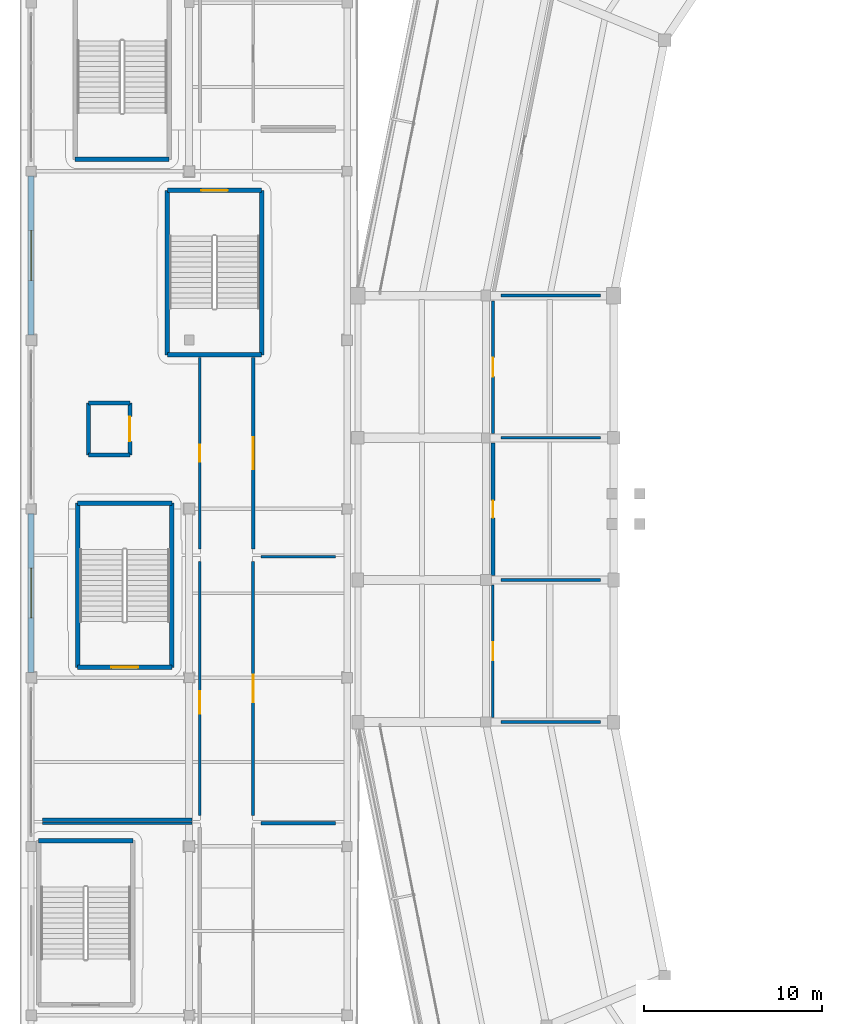
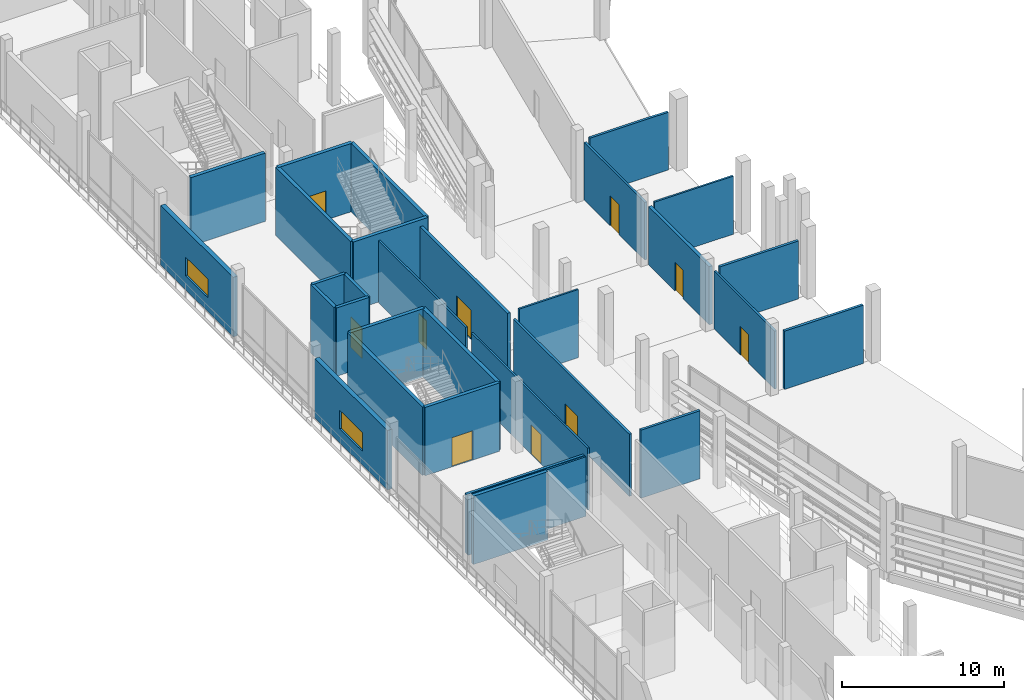
# One storey, part 73 of 111: 31 walls, 10 doors, 2 windows, 12 openings.
"""IFC4 building model written with IfcOpenShell, lengths in metres."""

from ifc_helpers import new_model, si_unit, direction, frame, frame_2d, origin, place, context, subcontext, project, spatial, rectangle, extrude, material, layer, layer_set, type_object, element, fill, save


model = new_model("IFC4")

# Units and contexts
model_context = context("Model", 3, precision=1e-05, world=origin(), true_north=direction((0.0, 1.0)))
body_context = subcontext(model_context, "Body", "Model", "MODEL_VIEW")
ifc_project = project(units=[si_unit("LENGTHUNIT", "METRE"), si_unit("AREAUNIT", "SQUARE_METRE"), si_unit("VOLUMEUNIT", "CUBIC_METRE"), si_unit("PLANEANGLEUNIT", "RADIAN"), si_unit("MASSUNIT", "GRAM", prefix="KILO")], contexts=[model_context])

# Site, building, storey
site_placement = place(None, origin())
site = spatial("IfcSite", under=ifc_project, at=site_placement, CompositionType="ELEMENT")
building_placement = place(site_placement, origin())
building = spatial("IfcBuilding", under=site, at=building_placement, Name="Candeia Ridge Stadium", CompositionType="ELEMENT")
storey_placement = place(building_placement, frame((0.0, 0.0, 16.199951171875)))
storey = spatial("IfcBuildingStorey", under=building, at=storey_placement, Name="L03", CompositionType="ELEMENT", Elevation=16.199951171875)

# Wall, opening, door
ifc_material_1 = material(Name="Gypsum Metal-Stud Partition", Category="gypsum")
ifc_layer_1 = layer(ifc_material_1, 0.14501953125, Name="Gypsum Metal-Stud Partition", Category="gypsum")
ifc_layer_set_1 = layer_set([ifc_layer_1], Name="Gypsum Metal-Stud Partition")
wall_type_1 = type_object("IfcWallType", Name="Athlete Recovery Partition 145", PredefinedType="PARTITIONING", material=ifc_layer_set_1)
wall_1_placement = place(storey_placement, frame((26.60009765625, 71.25, 0.0), z_axis=(0.0, 0.0, 1.0), x_axis=(0.0, 1.0, 0.0)))
wall_1 = element("IfcWall", 1, at=wall_1_placement, inside=storey, type_object=wall_type_1, Name="Interior partition PT-L03-0585", PredefinedType="PARTITIONING", context=body_context, shape_type="SweptSolid", body=[
    extrude(rectangle(XDim=7.4599609375, YDim=0.14501953125, at=frame_2d((3.72998046875, 0.0))), origin(), (0.0, 0.0, 1.0), 4.364990234375),
])
opening_1_placement = place(wall_1_placement, frame((3.219970703125, 0.0, 0.0)))
opening_1 = element("IfcOpeningElement", 2, at=opening_1_placement, cuts=wall_1, Name="Opening ID16", PredefinedType="OPENING", context=body_context, shape_type="SweptSolid", body=[
    extrude(rectangle(XDim=1.02001953125, YDim=2.14990234375, at=frame_2d((0.510009765625, 1.074951171875))), frame((0.0, 0.08251953125, 0.0), z_axis=(0.0, -1.0, 0.0), x_axis=(1.0, 0.0, 0.0)), (0.0, 0.0, 1.0), 0.1650390625),
])
ifc_material_2 = material(Name="Solid Core Cedar Veneer", Category="wood")
door_type_1 = type_object("IfcDoorType", Name="Community Classroom Door 1020x2150", OperationType="NOTDEFINED", PredefinedType="DOOR", material=ifc_material_2)
door_1_placement = place(opening_1_placement, origin())
door_1 = element("IfcDoor", 3, at=door_1_placement, inside=storey, type_object=door_type_1, Name="Interior room door D-L03-0301", OperationType="SINGLE_SWING_LEFT", OverallHeight=2.14990234375, OverallWidth=1.02001953125, PredefinedType="DOOR", context=body_context, shape_type="SweptSolid", body=[
    extrude(rectangle(XDim=1.02001953125, YDim=2.14990234375, at=frame_2d((0.510009765625, 1.074951171875))), frame((0.0, 0.02490234375, 0.0), z_axis=(0.0, -1.0, 0.0), x_axis=(1.0, 0.0, 0.0)), (0.0, 0.0, 1.0), 0.050048828125),
])
fill(opening_1, door_1)

ifc_material_3 = material(Name="Concrete Masonry Blockwork C25/30", Category="masonry")
ifc_layer_2 = layer(ifc_material_3, 0.14990234375, Name="Concrete Masonry Blockwork C25/30", Category="masonry")
ifc_layer_set_2 = layer_set([ifc_layer_2], Name="Concrete Masonry Blockwork C25/30")
wall_type_2 = type_object("IfcWallType", Name="Concourse Kiosk Partition 150", PredefinedType="PARTITIONING", material=ifc_layer_set_2)
wall_2_placement = place(storey_placement, frame((26.60009765625, 87.25, 0.0), z_axis=(0.0, 0.0, 1.0), x_axis=(0.0, 1.0, 0.0)))
wall_2 = element("IfcWall", 4, at=wall_2_placement, inside=storey, type_object=wall_type_2, Name="Interior partition PT-L03-0581", PredefinedType="PARTITIONING", context=body_context, shape_type="SweptSolid", body=[
    extrude(rectangle(XDim=7.4599609375, YDim=0.14990234375, at=frame_2d((3.72998046875, 0.0))), origin(), (0.0, 0.0, 1.0), 4.344970703125),
])
opening_2_placement = place(wall_2_placement, frame((3.18994140625, 0.0, 0.0)))
opening_2 = element("IfcOpeningElement", 5, at=opening_2_placement, cuts=wall_2, Name="Opening ID08", PredefinedType="OPENING", context=body_context, shape_type="SweptSolid", body=[
    extrude(rectangle(XDim=1.080078125, YDim=2.25, at=frame_2d((0.5400390625, 1.125))), frame((0.0, 0.0849609375, 0.0), z_axis=(0.0, -1.0, 0.0), x_axis=(1.0, 0.0, 0.0)), (0.0, 0.0, 1.0), 0.169921875),
])
ifc_material_4 = material(Name="Western Red Cedar Acoustic Veneer", Category="wood")
door_type_2 = type_object("IfcDoorType", Name="Executive Skybox Entry Door 1080x2250", OperationType="NOTDEFINED", PredefinedType="DOOR", material=ifc_material_4)
door_2_placement = place(opening_2_placement, frame((1.080078125, 0.0, 0.0), z_axis=(0.0, 0.0, 1.0), x_axis=(-1.0, 0.0, 0.0)))
door_2 = element("IfcDoor", 6, at=door_2_placement, inside=storey, type_object=door_type_2, Name="Interior room door D-L03-0299", OperationType="SINGLE_SWING_LEFT", OverallHeight=2.25, OverallWidth=1.080078125, PredefinedType="DOOR", context=body_context, shape_type="SweptSolid", body=[
    extrude(rectangle(XDim=1.080078125, YDim=2.25, at=frame_2d((0.5400390625, 1.125))), frame((0.0, 0.02490234375, 0.0), z_axis=(0.0, -1.0, 0.0), x_axis=(1.0, 0.0, 0.0)), (0.0, 0.0, 1.0), 0.050048828125),
])
fill(opening_2, door_2)

# Walls
ifc_material_5 = material(Name="Concrete C40/50", Category="concrete")
ifc_layer_3 = layer(ifc_material_5, 0.25, Name="Concrete C40/50", Category="concrete")
ifc_layer_set_3 = layer_set([ifc_layer_3], Name="Concrete C40/50")
wall_type_3 = type_object("IfcWallType", Name="Core Shear Wall Concrete 250", PredefinedType="SHEAR", material=ifc_layer_set_3)
wall_3_placement = place(storey_placement, frame((6.32470703125, 64.32470703125, 0.0), z_axis=(0.0, 0.0, 1.0), x_axis=(-1.0, 0.0, 0.0)))
element("IfcWall", 7, at=wall_3_placement, inside=storey, type_object=wall_type_3, Name="Core C05 far shear wall L03", PredefinedType="SHEAR", context=body_context, shape_type="SweptSolid", body=[
    extrude(rectangle(XDim=5.29931640625, YDim=0.25, at=frame_2d((2.649658203125, 0.0))), origin(), (0.0, 0.0, 1.0), 5.14013671875),
])
wall_4_placement = place(storey_placement, frame((3.075439453125, 102.67529296875, 0.0), z_axis=(0.0, 0.0, 1.0), x_axis=(1.0, 0.0, 0.0)))
element("IfcWall", 8, at=wall_4_placement, inside=storey, type_object=wall_type_3, Name="Core C06 far shear wall L03", PredefinedType="SHEAR", context=body_context, shape_type="SweptSolid", body=[
    extrude(rectangle(XDim=5.299072265625, YDim=0.25, at=frame_2d((2.6494140625, 0.0))), origin(), (0.0, 0.0, 1.0), 5.14013671875),
])
wall_5_placement = place(storey_placement, frame((8.524658203125, 74.075439453125, 0.0), z_axis=(0.0, 0.0, 1.0), x_axis=(0.0, 1.0, 0.0)))
element("IfcWall", 9, at=wall_5_placement, inside=storey, type_object=wall_type_3, Name="Core C07 left shear wall L03", PredefinedType="SHEAR", context=body_context, shape_type="SweptSolid", body=[
    extrude(rectangle(XDim=9.249267578125, YDim=0.25, at=frame_2d((4.62451171875, 0.0))), origin(), (0.0, 0.0, 1.0), 5.14013671875),
])
wall_6_placement = place(storey_placement, frame((8.524658203125, 83.32470703125, 0.0), z_axis=(0.0, 0.0, 1.0), x_axis=(-1.0, 0.0, 0.0)))
element("IfcWall", 10, at=wall_6_placement, inside=storey, type_object=wall_type_3, Name="Core C07 far shear wall L03", PredefinedType="SHEAR", context=body_context, shape_type="SweptSolid", body=[
    extrude(rectangle(XDim=5.29931640625, YDim=0.25, at=frame_2d((2.649658203125, 0.0))), origin(), (0.0, 0.0, 1.0), 5.14013671875),
])
wall_7_placement = place(storey_placement, frame((3.225341796875, 83.32470703125, 0.0), z_axis=(0.0, 0.0, 1.0), x_axis=(0.0, -1.0, 0.0)))
element("IfcWall", 11, at=wall_7_placement, inside=storey, type_object=wall_type_3, Name="Core C07 right shear wall L03", PredefinedType="SHEAR", context=body_context, shape_type="SweptSolid", body=[
    extrude(rectangle(XDim=9.249267578125, YDim=0.25, at=frame_2d((4.62451171875, 0.0))), origin(), (0.0, 0.0, 1.0), 5.14013671875),
])

# Wall, opening, door
wall_8_placement = place(storey_placement, frame((3.225341796875, 74.075439453125, 0.0), z_axis=(0.0, 0.0, 1.0), x_axis=(1.0, 0.0, 0.0)))
wall_8 = element("IfcWall", 12, at=wall_8_placement, inside=storey, type_object=wall_type_3, Name="Core C07 near shear wall L03", PredefinedType="SHEAR", context=body_context, shape_type="SweptSolid", body=[
    extrude(rectangle(XDim=5.29931640625, YDim=0.25, at=frame_2d((2.649658203125, 0.0))), origin(), (0.0, 0.0, 1.0), 5.14013671875),
])
opening_3_placement = place(wall_8_placement, frame((1.899658203125, 0.0, 0.0)))
opening_3 = element("IfcOpeningElement", 13, at=opening_3_placement, cuts=wall_8, Name="Opening FD01", PredefinedType="OPENING", context=body_context, shape_type="SweptSolid", body=[
    extrude(rectangle(XDim=1.5, YDim=2.199951171875, at=frame_2d((0.75, 1.10009765625))), frame((0.0, 0.135009765625, 0.0), z_axis=(0.0, -1.0, 0.0), x_axis=(1.0, 0.0, 0.0)), (0.0, 0.0, 1.0), 0.27001953125),
])
ifc_material_6 = material(Name="Galvanized Fire-Rated Steel", Category="steel")
door_type_3 = type_object("IfcDoorType", Name="Exit Stair Core Fire Door 1500x2200", OperationType="NOTDEFINED", PredefinedType="DOOR", material=ifc_material_6)
door_3_placement = place(opening_3_placement, origin())
door_3 = element("IfcDoor", 14, at=door_3_placement, inside=storey, type_object=door_type_3, Name="Exit stair fire door SD-ST07-L03", OperationType="DOUBLE_DOOR_SINGLE_SWING", OverallHeight=2.199951171875, OverallWidth=1.5, PredefinedType="DOOR", context=body_context, shape_type="SweptSolid", body=[
    extrude(rectangle(XDim=1.5, YDim=2.199951171875, at=frame_2d((0.75, 1.10009765625))), frame((0.0, 0.02490234375, 0.0), z_axis=(0.0, -1.0, 0.0), x_axis=(1.0, 0.0, 0.0)), (0.0, 0.0, 1.0), 0.050048828125),
])
fill(opening_3, door_3)

# Walls
wall_9_placement = place(storey_placement, frame((8.275390625, 100.924560546875, 0.0), z_axis=(0.0, 0.0, 1.0), x_axis=(0.0, -1.0, 0.0)))
element("IfcWall", 15, at=wall_9_placement, inside=storey, type_object=wall_type_3, Name="Core C08 left shear wall L03", PredefinedType="SHEAR", context=body_context, shape_type="SweptSolid", body=[
    extrude(rectangle(XDim=9.249267578125, YDim=0.25, at=frame_2d((4.62451171875, 0.0))), origin(), (0.0, 0.0, 1.0), 5.14013671875),
])
wall_10_placement = place(storey_placement, frame((8.275390625, 91.67529296875, 0.0), z_axis=(0.0, 0.0, 1.0), x_axis=(1.0, 0.0, 0.0)))
element("IfcWall", 16, at=wall_10_placement, inside=storey, type_object=wall_type_3, Name="Core C08 far shear wall L03", PredefinedType="SHEAR", context=body_context, shape_type="SweptSolid", body=[
    extrude(rectangle(XDim=5.29931640625, YDim=0.25, at=frame_2d((2.649658203125, 0.0))), origin(), (0.0, 0.0, 1.0), 5.14013671875),
])
wall_11_placement = place(storey_placement, frame((13.57470703125, 91.67529296875, 0.0), z_axis=(0.0, 0.0, 1.0), x_axis=(0.0, 1.0, 0.0)))
element("IfcWall", 17, at=wall_11_placement, inside=storey, type_object=wall_type_3, Name="Core C08 right shear wall L03", PredefinedType="SHEAR", context=body_context, shape_type="SweptSolid", body=[
    extrude(rectangle(XDim=9.249267578125, YDim=0.25, at=frame_2d((4.62451171875, 0.0))), origin(), (0.0, 0.0, 1.0), 5.14013671875),
])

# Wall, opening, door
wall_12_placement = place(storey_placement, frame((13.57470703125, 100.924560546875, 0.0), z_axis=(0.0, 0.0, 1.0), x_axis=(-1.0, 0.0, 0.0)))
wall_12 = element("IfcWall", 18, at=wall_12_placement, inside=storey, type_object=wall_type_3, Name="Core C08 near shear wall L03", PredefinedType="SHEAR", context=body_context, shape_type="SweptSolid", body=[
    extrude(rectangle(XDim=5.29931640625, YDim=0.25, at=frame_2d((2.649658203125, 0.0))), origin(), (0.0, 0.0, 1.0), 5.14013671875),
])
opening_4_placement = place(wall_12_placement, frame((1.899658203125, 0.0, 0.0)))
opening_4 = element("IfcOpeningElement", 19, at=opening_4_placement, cuts=wall_12, Name="Opening FD01", PredefinedType="OPENING", context=body_context, shape_type="SweptSolid", body=[
    extrude(rectangle(XDim=1.5, YDim=2.199951171875, at=frame_2d((0.75, 1.10009765625))), frame((0.0, 0.135009765625, 0.0), z_axis=(0.0, -1.0, 0.0), x_axis=(1.0, 0.0, 0.0)), (0.0, 0.0, 1.0), 0.27001953125),
])
door_4_placement = place(opening_4_placement, origin())
door_4 = element("IfcDoor", 20, at=door_4_placement, inside=storey, type_object=door_type_3, Name="Exit stair fire door SD-ST08-L03", OperationType="DOUBLE_DOOR_SINGLE_SWING", OverallHeight=2.199951171875, OverallWidth=1.5, PredefinedType="DOOR", context=body_context, shape_type="SweptSolid", body=[
    extrude(rectangle(XDim=1.5, YDim=2.199951171875, at=frame_2d((0.75, 1.10009765625))), frame((0.0, 0.02490234375, 0.0), z_axis=(0.0, -1.0, 0.0), x_axis=(1.0, 0.0, 0.0)), (0.0, 0.0, 1.0), 0.050048828125),
])
fill(opening_4, door_4)

# Walls
ifc_material_7 = material(Name="Gypsum Acoustic Twin-Stud Assembly", Category="gypsum")
ifc_layer_4 = layer(ifc_material_7, 0.179931640625, Name="Gypsum Acoustic Twin-Stud Assembly", Category="gypsum")
ifc_layer_set_4 = layer_set([ifc_layer_4], Name="Gypsum Acoustic Twin-Stud Assembly")
wall_type_4 = type_object("IfcWallType", Name="Corridor Fire Partition 180", PredefinedType="PARTITIONING", material=ifc_layer_set_4)
wall_13_placement = place(storey_placement, frame((13.550048828125, 65.300048828125, 0.0), z_axis=(0.0, 0.0, 1.0), x_axis=(1.0, 0.0, 0.0)))
element("IfcWall", 21, at=wall_13_placement, inside=storey, type_object=wall_type_4, Name="Demising partition PT-L03-0514", PredefinedType="PARTITIONING", context=body_context, shape_type="SweptSolid", body=[
    extrude(rectangle(XDim=4.199951171875, YDim=0.179931640625, at=frame_2d((2.10009765625, 0.0))), origin(), (0.0, 0.0, 1.0), 5.1201171875),
])
wall_14_placement = place(storey_placement, frame((32.64990234375, 79.0, 0.0), z_axis=(0.0, 0.0, 1.0), x_axis=(-1.0, 0.0, 0.0)))
element("IfcWall", 22, at=wall_14_placement, inside=storey, type_object=wall_type_4, Name="Demising partition PT-L03-0584", PredefinedType="PARTITIONING", context=body_context, shape_type="SweptSolid", body=[
    extrude(rectangle(XDim=5.599853515625, YDim=0.179931640625, at=frame_2d((2.7998046875, 0.0))), origin(), (0.0, 0.0, 1.0), 4.364990234375),
])

# Wall, opening, door
ifc_material_8 = material(Name="Moisture-Resistant Masonry & Tile", Category="masonry")
ifc_layer_5 = layer(ifc_material_8, 0.22998046875, Name="Moisture-Resistant Masonry & Tile", Category="masonry")
ifc_layer_set_5 = layer_set([ifc_layer_5], Name="Moisture-Resistant Masonry & Tile")
wall_type_5 = type_object("IfcWallType", Name="Dressing Suite Wet-Wall Chase 230", PredefinedType="PLUMBINGWALL", material=ifc_layer_set_5)
wall_15_placement = place(storey_placement, frame((26.60009765625, 79.25, 0.0), z_axis=(0.0, 0.0, 1.0), x_axis=(0.0, 1.0, 0.0)))
wall_15 = element("IfcWall", 23, at=wall_15_placement, inside=storey, type_object=wall_type_5, Name="Interior partition PT-L03-0583", PredefinedType="PLUMBINGWALL", context=body_context, shape_type="SweptSolid", body=[
    extrude(rectangle(XDim=7.4599609375, YDim=0.22998046875, at=frame_2d((3.72998046875, 0.0))), origin(), (0.0, 0.0, 1.0), 4.375),
])
opening_5_placement = place(wall_15_placement, frame((3.239990234375, 0.0, 0.0)))
opening_5 = element("IfcOpeningElement", 24, at=opening_5_placement, cuts=wall_15, Name="Opening ID12", PredefinedType="OPENING", context=body_context, shape_type="SweptSolid", body=[
    extrude(rectangle(XDim=0.97998046875, YDim=2.14990234375, at=frame_2d((0.489990234375, 1.074951171875))), frame((0.0, 0.125, 0.0), z_axis=(0.0, -1.0, 0.0), x_axis=(1.0, 0.0, 0.0)), (0.0, 0.0, 1.0), 0.25),
])
ifc_material_9 = material(Name="Acoustic Timber Studio Leaf", Category="wood")
door_type_4 = type_object("IfcDoorType", Name="Commentary Booth Acoustic Door 980x2150", OperationType="NOTDEFINED", PredefinedType="DOOR", material=ifc_material_9)
door_5_placement = place(opening_5_placement, frame((0.97998046875, 0.0, 0.0), z_axis=(0.0, 0.0, 1.0), x_axis=(-1.0, 0.0, 0.0)))
door_5 = element("IfcDoor", 25, at=door_5_placement, inside=storey, type_object=door_type_4, Name="Interior room door D-L03-0300", OperationType="SINGLE_SWING_RIGHT", OverallHeight=2.14990234375, OverallWidth=0.97998046875, PredefinedType="DOOR", context=body_context, shape_type="SweptSolid", body=[
    extrude(rectangle(XDim=0.97998046875, YDim=2.14990234375, at=frame_2d((0.489990234375, 1.074951171875))), frame((0.0, 0.02490234375, 0.0), z_axis=(0.0, -1.0, 0.0), x_axis=(1.0, 0.0, 0.0)), (0.0, 0.0, 1.0), 0.050048828125),
])
fill(opening_5, door_5)

# Wall, opening, window
ifc_material_10 = material(Name="Concrete C35/45", Category="concrete")
ifc_layer_6 = layer(ifc_material_10, 0.320068359375, Name="Concrete C35/45", Category="concrete")
ifc_layer_set_6 = layer_set([ifc_layer_6], Name="Concrete C35/45")
wall_type_6 = type_object("IfcWallType", Name="Exterior Cedar-Clad Insulated Wall 320", PredefinedType="SOLIDWALL", material=ifc_layer_set_6)
wall_16_placement = place(storey_placement, frame((0.60009765625, 73.7880859375, 0.0), z_axis=(0.0, 0.0, 1.0), x_axis=(0.0, 1.0, 0.0)))
wall_16 = element("IfcWall", 26, at=wall_16_placement, inside=storey, type_object=wall_type_6, Name="Exterior facade wall EW-L03-0090", PredefinedType="SOLIDWALL", context=body_context, shape_type="SweptSolid", body=[
    extrude(rectangle(XDim=8.948974609375, YDim=0.320068359375, at=frame_2d((4.474609375, 0.0))), origin(), (0.0, 0.0, 1.0), 4.47509765625),
])
opening_6_placement = place(wall_16_placement, frame((3.074462890625, 0.0, 1.050048828125)))
opening_6 = element("IfcOpeningElement", 27, at=opening_6_placement, cuts=wall_16, Name="Opening W06", PredefinedType="OPENING", context=body_context, shape_type="SweptSolid", body=[
    extrude(rectangle(XDim=2.800048828125, YDim=1.39990234375, at=frame_2d((1.39990234375, 0.699951171875))), frame((0.0, 0.169921875, 0.0), z_axis=(0.0, -1.0, 0.0), x_axis=(1.0, 0.0, 0.0)), (0.0, 0.0, 1.0), 0.340087890625),
])
ifc_material_11 = material(Name="Tempered Solar-Control Double Glazing", Category="glass")
window_type = type_object("IfcWindowType", Name="Museum Clerestory Window 2800x1400", PartitioningType="SINGLE_PANEL", PredefinedType="WINDOW", material=ifc_material_11)
window_1_placement = place(opening_6_placement, origin())
window_1 = element("IfcWindow", 28, at=window_1_placement, inside=storey, type_object=window_type, Name="Exterior window WIN-L03-043", OverallHeight=1.39990234375, OverallWidth=2.800048828125, PartitioningType="SINGLE_PANEL", PredefinedType="WINDOW", context=body_context, shape_type="SweptSolid", body=[
    extrude(rectangle(XDim=2.800048828125, YDim=1.39990234375, at=frame_2d((1.39990234375, 0.699951171875))), frame((0.0, 0.030029296875, 0.0), z_axis=(0.0, -1.0, 0.0), x_axis=(1.0, 0.0, 0.0)), (0.0, 0.0, 1.0), 0.06005859375),
])
fill(opening_6, window_1)

wall_17_placement = place(storey_placement, frame((0.60009765625, 92.7880859375, 0.0), z_axis=(0.0, 0.0, 1.0), x_axis=(0.0, 1.0, 0.0)))
wall_17 = element("IfcWall", 29, at=wall_17_placement, inside=storey, type_object=wall_type_6, Name="Exterior facade wall EW-L03-0091", PredefinedType="SOLIDWALL", context=body_context, shape_type="SweptSolid", body=[
    extrude(rectangle(XDim=8.948974609375, YDim=0.320068359375, at=frame_2d((4.474609375, 0.0))), origin(), (0.0, 0.0, 1.0), 4.47509765625),
])
opening_7_placement = place(wall_17_placement, frame((3.074462890625, 0.0, 1.050048828125)))
opening_7 = element("IfcOpeningElement", 30, at=opening_7_placement, cuts=wall_17, Name="Opening W06", PredefinedType="OPENING", context=body_context, shape_type="SweptSolid", body=[
    extrude(rectangle(XDim=2.800048828125, YDim=1.39990234375, at=frame_2d((1.39990234375, 0.699951171875))), frame((0.0, 0.169921875, 0.0), z_axis=(0.0, -1.0, 0.0), x_axis=(1.0, 0.0, 0.0)), (0.0, 0.0, 1.0), 0.340087890625),
])
window_2_placement = place(opening_7_placement, origin())
window_2 = element("IfcWindow", 31, at=window_2_placement, inside=storey, type_object=window_type, Name="Exterior window WIN-L03-044", OverallHeight=1.39990234375, OverallWidth=2.800048828125, PartitioningType="SINGLE_PANEL", PredefinedType="WINDOW", context=body_context, shape_type="SweptSolid", body=[
    extrude(rectangle(XDim=2.800048828125, YDim=1.39990234375, at=frame_2d((1.39990234375, 0.699951171875))), frame((0.0, 0.030029296875, 0.0), z_axis=(0.0, -1.0, 0.0), x_axis=(1.0, 0.0, 0.0)), (0.0, 0.0, 1.0), 0.06005859375),
])
fill(opening_7, window_2)

# Wall
ifc_layer_7 = layer(ifc_material_1, 0.135009765625, Name="Gypsum Metal-Stud Partition", Category="gypsum")
ifc_layer_set_7 = layer_set([ifc_layer_7], Name="Gypsum Metal-Stud Partition")
wall_type_7 = type_object("IfcWallType", Name="General Room Partition 135", PredefinedType="PARTITIONING", material=ifc_layer_set_7)
wall_18_placement = place(storey_placement, frame((13.550048828125, 80.300048828125, 0.0), z_axis=(0.0, 0.0, 1.0), x_axis=(1.0, 0.0, 0.0)))
element("IfcWall", 32, at=wall_18_placement, inside=storey, type_object=wall_type_7, Name="Demising partition PT-L03-0518", PredefinedType="PARTITIONING", context=body_context, shape_type="SweptSolid", body=[
    extrude(rectangle(XDim=4.199951171875, YDim=0.135009765625, at=frame_2d((2.10009765625, 0.0))), origin(), (0.0, 0.0, 1.0), 5.1201171875),
])

# Wall, opening, door
wall_19_placement = place(storey_placement, frame((10.10009765625, 91.510009765625, 0.0), z_axis=(0.0, 0.0, 1.0), x_axis=(0.0, -1.0, 0.0)))
wall_19 = element("IfcWall", 33, at=wall_19_placement, inside=storey, type_object=wall_type_7, Name="Interior partition PT-L03-0519", PredefinedType="PARTITIONING", context=body_context, shape_type="SweptSolid", body=[
    extrude(rectangle(XDim=10.760009765625, YDim=0.135009765625, at=frame_2d((5.3798828125, 0.0))), origin(), (0.0, 0.0, 1.0), 4.66796875),
])
opening_8_placement = place(wall_19_placement, frame((4.89990234375, 0.0, 0.0)))
opening_8 = element("IfcOpeningElement", 34, at=opening_8_placement, cuts=wall_19, Name="Opening ID17", PredefinedType="OPENING", context=body_context, shape_type="SweptSolid", body=[
    extrude(rectangle(XDim=0.9599609375, YDim=2.14990234375, at=frame_2d((0.47998046875, 1.074951171875))), frame((0.0, 0.077392578125, 0.0), z_axis=(0.0, -1.0, 0.0), x_axis=(1.0, 0.0, 0.0)), (0.0, 0.0, 1.0), 0.155029296875),
])
door_type_5 = type_object("IfcDoorType", Name="Ticketing Office Single Door 960x2150", OperationType="NOTDEFINED", PredefinedType="DOOR", material=ifc_material_2)
door_6_placement = place(opening_8_placement, origin())
door_6 = element("IfcDoor", 35, at=door_6_placement, inside=storey, type_object=door_type_5, Name="Interior room door D-L03-0267", OperationType="SINGLE_SWING_RIGHT", OverallHeight=2.14990234375, OverallWidth=0.9599609375, PredefinedType="DOOR", context=body_context, shape_type="SweptSolid", body=[
    extrude(rectangle(XDim=0.9599609375, YDim=2.14990234375, at=frame_2d((0.47998046875, 1.074951171875))), frame((0.0, 0.02490234375, 0.0), z_axis=(0.0, -1.0, 0.0), x_axis=(1.0, 0.0, 0.0)), (0.0, 0.0, 1.0), 0.050048828125),
])
fill(opening_8, door_6)

ifc_layer_8 = layer(ifc_material_7, 0.1650390625, Name="Gypsum Acoustic Twin-Stud Assembly", Category="gypsum")
ifc_layer_set_8 = layer_set([ifc_layer_8], Name="Gypsum Acoustic Twin-Stud Assembly")
wall_type_8 = type_object("IfcWallType", Name="Hospitality Suite Acoustic Wall 165", PredefinedType="PARTITIONING", material=ifc_layer_set_8)
wall_20_placement = place(storey_placement, frame((13.10009765625, 65.75, 0.0), z_axis=(0.0, 0.0, 1.0), x_axis=(0.0, 1.0, 0.0)))
wall_20 = element("IfcWall", 36, at=wall_20_placement, inside=storey, type_object=wall_type_8, Name="Interior partition PT-L03-0517", PredefinedType="PARTITIONING", context=body_context, shape_type="SweptSolid", body=[
    extrude(rectangle(XDim=14.300048828125, YDim=0.1650390625, at=frame_2d((7.14990234375, 0.0))), origin(), (0.0, 0.0, 1.0), 4.66796875),
])
opening_9_placement = place(wall_20_placement, frame((6.375, 0.0, 0.0)))
opening_9 = element("IfcOpeningElement", 37, at=opening_9_placement, cuts=wall_20, Name="Opening ID14", PredefinedType="OPENING", context=body_context, shape_type="SweptSolid", body=[
    extrude(rectangle(XDim=1.550048828125, YDim=2.14990234375, at=frame_2d((0.77490234375, 1.074951171875))), frame((0.0, 0.092529296875, 0.0), z_axis=(0.0, -1.0, 0.0), x_axis=(1.0, 0.0, 0.0)), (0.0, 0.0, 1.0), 0.18505859375),
])
ifc_material_12 = material(Name="Brushed Stainless Steel", Category="steel")
door_type_6 = type_object("IfcDoorType", Name="Catering Kitchen Double Door 1550x2150", OperationType="NOTDEFINED", PredefinedType="DOOR", material=ifc_material_12)
door_7_placement = place(opening_9_placement, origin())
door_7 = element("IfcDoor", 38, at=door_7_placement, inside=storey, type_object=door_type_6, Name="Interior room door D-L03-0266", OperationType="DOUBLE_DOOR_SINGLE_SWING", OverallHeight=2.14990234375, OverallWidth=1.550048828125, PredefinedType="DOOR", context=body_context, shape_type="SweptSolid", body=[
    extrude(rectangle(XDim=1.550048828125, YDim=2.14990234375, at=frame_2d((0.77490234375, 1.074951171875))), frame((0.0, 0.02490234375, 0.0), z_axis=(0.0, -1.0, 0.0), x_axis=(1.0, 0.0, 0.0)), (0.0, 0.0, 1.0), 0.050048828125),
])
fill(opening_9, door_7)

# Wall
ifc_layer_9 = layer(ifc_material_5, 0.219970703125, Name="Concrete C40/50", Category="concrete")
ifc_layer_set_9 = layer_set([ifc_layer_9], Name="Concrete C40/50")
wall_type_9 = type_object("IfcWallType", Name="Lift & Riser Shaft Wall 220", PredefinedType="SHEAR", material=ifc_layer_set_9)
wall_21_placement = place(storey_placement, frame((3.840087890625, 86.0400390625, 0.0), z_axis=(0.0, 0.0, 1.0), x_axis=(1.0, 0.0, 0.0)))
element("IfcWall", 39, at=wall_21_placement, inside=storey, type_object=wall_type_9, Name="Lift GL1 shaft wall L03 south", PredefinedType="SHEAR", context=body_context, shape_type="SweptSolid", body=[
    extrude(rectangle(XDim=2.31982421875, YDim=0.219970703125, at=frame_2d((1.159912109375, 0.0))), origin(), (0.0, 0.0, 1.0), 5.14013671875),
])

# Wall, opening, door
wall_22_placement = place(storey_placement, frame((6.159912109375, 86.0400390625, 0.0), z_axis=(0.0, 0.0, 1.0), x_axis=(0.0, 1.0, 0.0)))
wall_22 = element("IfcWall", 40, at=wall_22_placement, inside=storey, type_object=wall_type_9, Name="Lift GL1 shaft wall L03 east", PredefinedType="SHEAR", context=body_context, shape_type="SweptSolid", body=[
    extrude(rectangle(XDim=2.919921875, YDim=0.219970703125, at=frame_2d((1.4599609375, 0.0))), origin(), (0.0, 0.0, 1.0), 5.14013671875),
])
opening_10_placement = place(wall_22_placement, frame((0.760009765625, 0.0, 0.0)))
opening_10 = element("IfcOpeningElement", 41, at=opening_10_placement, cuts=wall_22, Name="Opening LD03", PredefinedType="OPENING", context=body_context, shape_type="SweptSolid", body=[
    extrude(rectangle(XDim=1.39990234375, YDim=2.300048828125, at=frame_2d((0.699951171875, 1.14990234375))), frame((0.0, 0.119873046875, 0.0), z_axis=(0.0, -1.0, 0.0), x_axis=(1.0, 0.0, 0.0)), (0.0, 0.0, 1.0), 0.239990234375),
])
door_type_7 = type_object("IfcDoorType", Name="Goods Lift Landing Door 1400x2300", OperationType="NOTDEFINED", PredefinedType="DOOR", material=ifc_material_12)
door_8_placement = place(opening_10_placement, origin())
door_8 = element("IfcDoor", 42, at=door_8_placement, inside=storey, type_object=door_type_7, Name="Lift landing sliding door LD-GL1-L03", OperationType="DOUBLE_DOOR_SLIDING", OverallHeight=2.300048828125, OverallWidth=1.39990234375, PredefinedType="DOOR", context=body_context, shape_type="SweptSolid", body=[
    extrude(rectangle(XDim=1.39990234375, YDim=2.300048828125, at=frame_2d((0.699951171875, 1.14990234375))), frame((0.0, 0.02490234375, 0.0), z_axis=(0.0, -1.0, 0.0), x_axis=(1.0, 0.0, 0.0)), (0.0, 0.0, 1.0), 0.050048828125),
])
fill(opening_10, door_8)

# Walls
wall_23_placement = place(storey_placement, frame((6.159912109375, 88.9599609375, 0.0), z_axis=(0.0, 0.0, 1.0), x_axis=(-1.0, 0.0, 0.0)))
element("IfcWall", 43, at=wall_23_placement, inside=storey, type_object=wall_type_9, Name="Lift GL1 shaft wall L03 north", PredefinedType="SHEAR", context=body_context, shape_type="SweptSolid", body=[
    extrude(rectangle(XDim=2.31982421875, YDim=0.219970703125, at=frame_2d((1.159912109375, 0.0))), origin(), (0.0, 0.0, 1.0), 5.14013671875),
])
wall_24_placement = place(storey_placement, frame((3.840087890625, 88.9599609375, 0.0), z_axis=(0.0, 0.0, 1.0), x_axis=(0.0, -1.0, 0.0)))
element("IfcWall", 44, at=wall_24_placement, inside=storey, type_object=wall_type_9, Name="Lift GL1 shaft wall L03 west", PredefinedType="SHEAR", context=body_context, shape_type="SweptSolid", body=[
    extrude(rectangle(XDim=2.919921875, YDim=0.219970703125, at=frame_2d((1.4599609375, 0.0))), origin(), (0.0, 0.0, 1.0), 5.14013671875),
])
ifc_material_13 = material(Name="Gypsum Acoustic Triple-Board Wall", Category="gypsum")
ifc_layer_10 = layer(ifc_material_13, 0.18994140625, Name="Gypsum Acoustic Triple-Board Wall", Category="gypsum")
ifc_layer_set_10 = layer_set([ifc_layer_10], Name="Gypsum Acoustic Triple-Board Wall")
wall_type_10 = type_object("IfcWallType", Name="Media & Commentary Studio Wall 190", PredefinedType="PARTITIONING", material=ifc_layer_set_10)
wall_25_placement = place(storey_placement, frame((9.64990234375, 65.5, 0.0), z_axis=(0.0, 0.0, 1.0), x_axis=(-1.0, 0.0, 0.0)))
element("IfcWall", 45, at=wall_25_placement, inside=storey, type_object=wall_type_10, Name="Demising partition PT-L03-0516", PredefinedType="PARTITIONING", context=body_context, shape_type="SweptSolid", body=[
    extrude(rectangle(XDim=8.39990234375, YDim=0.18994140625, at=frame_2d((4.199951171875, 0.0))), origin(), (0.0, 0.0, 1.0), 4.47509765625),
])
wall_26_placement = place(storey_placement, frame((32.64990234375, 71.0, 0.0), z_axis=(0.0, 0.0, 1.0), x_axis=(-1.0, 0.0, 0.0)))
element("IfcWall", 46, at=wall_26_placement, inside=storey, type_object=wall_type_10, Name="Demising partition PT-L03-0586", PredefinedType="PARTITIONING", context=body_context, shape_type="SweptSolid", body=[
    extrude(rectangle(XDim=5.599853515625, YDim=0.18994140625, at=frame_2d((2.7998046875, 0.0))), origin(), (0.0, 0.0, 1.0), 4.385009765625),
])

# Wall, opening, door
ifc_layer_11 = layer(ifc_material_8, 0.2099609375, Name="Moisture-Resistant Masonry & Tile", Category="masonry")
ifc_layer_set_11 = layer_set([ifc_layer_11], Name="Moisture-Resistant Masonry & Tile")
wall_type_11 = type_object("IfcWallType", Name="Sanitary Wet-Wall Plumbing Chase 210", PredefinedType="PLUMBINGWALL", material=ifc_layer_set_11)
wall_27_placement = place(storey_placement, frame((13.10009765625, 80.75, 0.0), z_axis=(0.0, 0.0, 1.0), x_axis=(0.0, 1.0, 0.0)))
wall_27 = element("IfcWall", 47, at=wall_27_placement, inside=storey, type_object=wall_type_11, Name="Interior partition PT-L03-0520", PredefinedType="PLUMBINGWALL", context=body_context, shape_type="SweptSolid", body=[
    extrude(rectangle(XDim=10.760009765625, YDim=0.2099609375, at=frame_2d((5.3798828125, 0.0))), origin(), (0.0, 0.0, 1.0), 4.66796875),
])
opening_11_placement = place(wall_27_placement, frame((4.47998046875, 0.0, 0.0)))
opening_11 = element("IfcOpeningElement", 48, at=opening_11_placement, cuts=wall_27, Name="Opening FD03", PredefinedType="OPENING", context=body_context, shape_type="SweptSolid", body=[
    extrude(rectangle(XDim=1.800048828125, YDim=2.199951171875, at=frame_2d((0.89990234375, 1.10009765625))), frame((0.0, 0.114990234375, 0.0), z_axis=(0.0, -1.0, 0.0), x_axis=(1.0, 0.0, 0.0)), (0.0, 0.0, 1.0), 0.22998046875),
])
ifc_material_14 = material(Name="Timber Fire-Rated Acoustic", Category="wood")
door_type_8 = type_object("IfcDoorType", Name="Corridor Compartment Double Door 1800x2200", OperationType="NOTDEFINED", PredefinedType="DOOR", material=ifc_material_14)
door_9_placement = place(opening_11_placement, origin())
door_9 = element("IfcDoor", 49, at=door_9_placement, inside=storey, type_object=door_type_8, Name="Interior room door D-L03-0268", OperationType="DOUBLE_DOOR_SINGLE_SWING", OverallHeight=2.199951171875, OverallWidth=1.800048828125, PredefinedType="DOOR", context=body_context, shape_type="SweptSolid", body=[
    extrude(rectangle(XDim=1.800048828125, YDim=2.199951171875, at=frame_2d((0.89990234375, 1.10009765625))), frame((0.0, 0.02490234375, 0.0), z_axis=(0.0, -1.0, 0.0), x_axis=(1.0, 0.0, 0.0)), (0.0, 0.0, 1.0), 0.050048828125),
])
fill(opening_11, door_9)

# Walls
ifc_layer_12 = layer(ifc_material_7, 0.169921875, Name="Gypsum Acoustic Twin-Stud Assembly", Category="gypsum")
ifc_layer_set_12 = layer_set([ifc_layer_12], Name="Gypsum Acoustic Twin-Stud Assembly")
wall_type_12 = type_object("IfcWallType", Name="Skybox Demising Acoustic Wall 170", PredefinedType="PARTITIONING", material=ifc_layer_set_12)
wall_28_placement = place(storey_placement, frame((32.64990234375, 95.0, 0.0), z_axis=(0.0, 0.0, 1.0), x_axis=(-1.0, 0.0, 0.0)))
element("IfcWall", 50, at=wall_28_placement, inside=storey, type_object=wall_type_12, Name="Demising partition PT-L03-0580", PredefinedType="PARTITIONING", context=body_context, shape_type="SweptSolid", body=[
    extrude(rectangle(XDim=5.599853515625, YDim=0.169921875, at=frame_2d((2.7998046875, 0.0))), origin(), (0.0, 0.0, 1.0), 4.344970703125),
])
ifc_layer_13 = layer(ifc_material_1, 0.1298828125, Name="Gypsum Metal-Stud Partition", Category="gypsum")
ifc_layer_set_13 = layer_set([ifc_layer_13], Name="Gypsum Metal-Stud Partition")
wall_type_13 = type_object("IfcWallType", Name="Ticketing Back-Office Partition 130", PredefinedType="PARTITIONING", material=ifc_layer_set_13)
wall_29_placement = place(storey_placement, frame((1.25, 65.300048828125, 0.0), z_axis=(0.0, 0.0, 1.0), x_axis=(1.0, 0.0, 0.0)))
element("IfcWall", 51, at=wall_29_placement, inside=storey, type_object=wall_type_13, Name="Demising partition PT-L03-0512", PredefinedType="PARTITIONING", context=body_context, shape_type="SweptSolid", body=[
    extrude(rectangle(XDim=8.39990234375, YDim=0.1298828125, at=frame_2d((4.199951171875, 0.0))), origin(), (0.0, 0.0, 1.0), 4.47509765625),
])

# Wall, opening, door
wall_30_placement = place(storey_placement, frame((10.10009765625, 80.050048828125, 0.0), z_axis=(0.0, 0.0, 1.0), x_axis=(0.0, -1.0, 0.0)))
wall_30 = element("IfcWall", 52, at=wall_30_placement, inside=storey, type_object=wall_type_13, Name="Interior partition PT-L03-0515", PredefinedType="PARTITIONING", context=body_context, shape_type="SweptSolid", body=[
    extrude(rectangle(XDim=14.300048828125, YDim=0.1298828125, at=frame_2d((7.14990234375, 0.0))), origin(), (0.0, 0.0, 1.0), 4.66796875),
])
opening_12_placement = place(wall_30_placement, frame((7.324951171875, 0.0, 0.0)))
opening_12 = element("IfcOpeningElement", 53, at=opening_12_placement, cuts=wall_30, Name="Opening ID11", PredefinedType="OPENING", context=body_context, shape_type="SweptSolid", body=[
    extrude(rectangle(XDim=1.25, YDim=2.199951171875, at=frame_2d((0.625, 1.10009765625))), frame((0.0, 0.074951171875, 0.0), z_axis=(0.0, -1.0, 0.0), x_axis=(1.0, 0.0, 0.0)), (0.0, 0.0, 1.0), 0.14990234375),
])
door_type_9 = type_object("IfcDoorType", Name="Press Tribune Acoustic Door 1250x2200", OperationType="NOTDEFINED", PredefinedType="DOOR", material=ifc_material_9)
door_10_placement = place(opening_12_placement, origin())
door_10 = element("IfcDoor", 54, at=door_10_placement, inside=storey, type_object=door_type_9, Name="Interior room door D-L03-0265", OperationType="SINGLE_SWING_LEFT", OverallHeight=2.199951171875, OverallWidth=1.25, PredefinedType="DOOR", context=body_context, shape_type="SweptSolid", body=[
    extrude(rectangle(XDim=1.25, YDim=2.199951171875, at=frame_2d((0.625, 1.10009765625))), frame((0.0, 0.02490234375, 0.0), z_axis=(0.0, -1.0, 0.0), x_axis=(1.0, 0.0, 0.0)), (0.0, 0.0, 1.0), 0.050048828125),
])
fill(opening_12, door_10)

# Wall
wall_31_placement = place(storey_placement, frame((32.64990234375, 87.0, 0.0), z_axis=(0.0, 0.0, 1.0), x_axis=(-1.0, 0.0, 0.0)))
element("IfcWall", 55, at=wall_31_placement, inside=storey, type_object=wall_type_13, Name="Demising partition PT-L03-0582", PredefinedType="PARTITIONING", context=body_context, shape_type="SweptSolid", body=[
    extrude(rectangle(XDim=5.599853515625, YDim=0.1298828125, at=frame_2d((2.7998046875, 0.0))), origin(), (0.0, 0.0, 1.0), 4.375),
])

save(model, "model.ifc")
